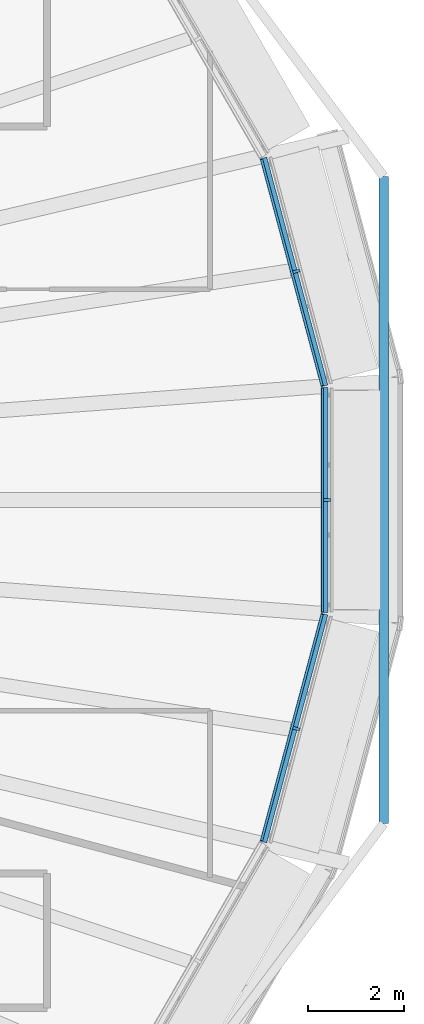
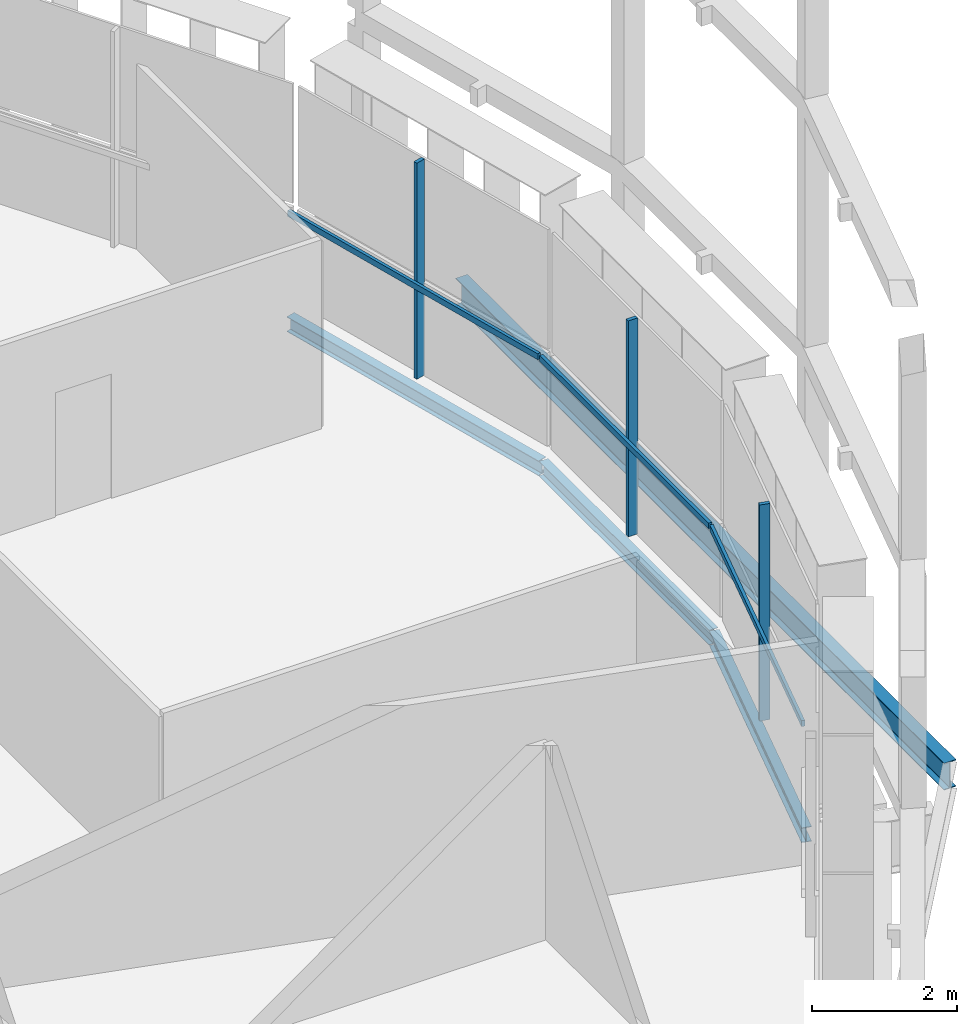
# One storey, part 12 of 26: 6 members, 4 beams, 3 elements without a shape of their own.
"""IFC4 building model written with IfcOpenShell, lengths in metres."""

from ifc_helpers import new_model, si_unit, direction, frame, origin, origin_2d, place, context, subcontext, project, spatial, rectangle, i_section, extrude, material, layer, layer_set, material_profile, profile_set, type_object, element, aggregate, save


model = new_model("IFC4")

# Units and contexts
model_context = context("Model", 3, precision=1e-05, world=origin(), true_north=direction((0.0, 1.0)))
body_context = subcontext(model_context, "Body", "Model", "MODEL_VIEW")
ifc_project = project(units=[si_unit("LENGTHUNIT", "METRE"), si_unit("AREAUNIT", "SQUARE_METRE"), si_unit("VOLUMEUNIT", "CUBIC_METRE"), si_unit("PLANEANGLEUNIT", "RADIAN"), si_unit("MASSUNIT", "GRAM", prefix="KILO")], contexts=[model_context])

# Site, building, storey
site_placement = place(None, origin())
site = spatial("IfcSite", under=ifc_project, at=site_placement, CompositionType="ELEMENT")
building_placement = place(site_placement, origin())
building = spatial("IfcBuilding", under=site, at=building_placement, Name="Sahrelin Media Tower", CompositionType="ELEMENT")
storey_placement = place(building_placement, frame((0.0, 0.0, 102.0)))
storey = spatial("IfcBuildingStorey", under=building, at=storey_placement, Name="L19", CompositionType="ELEMENT", Elevation=102.0)

# Beams
ifc_material_1 = material(Name="Steel S355", Category="steel")
ifc_material_profile_1 = material_profile(ifc_material_1, i_section(OverallWidth=0.14599609375, OverallDepth=0.25146484375, WebThickness=0.006103515625, FlangeThickness=0.008544921875, FilletRadius=0.007568359375, at=origin_2d()), Name="UB 254x146x31")
ifc_profile_set_1 = profile_set([ifc_material_profile_1], Name="Steel S355")
beam_type_1 = type_object("IfcBeamType", Name="Edge beam EB1", PredefinedType="BEAM", material=ifc_profile_set_1)
beam_1_placement = place(storey_placement, frame((31.794189453125, 2.352783203125, -0.275634765625), z_axis=(0.0, -1.0, 0.0), x_axis=(1.0, 0.0, 0.0)))
element("IfcBeam", 1, at=beam_1_placement, inside=storey, type_object=beam_type_1, Name="Edge beam L19-01", PredefinedType="BEAM", context=body_context, shape_type="SweptSolid", body=[
    extrude(i_section(OverallWidth=0.14599609375, OverallDepth=0.25146484375, WebThickness=0.006103515625, FlangeThickness=0.008544921875, FilletRadius=0.007568359375, at=origin_2d()), origin(), (0.0, 0.0, 1.0), 4.70556640625),
])
for number, where, z_axis, x_axis, name in (
    (2, (31.79052734375, -2.381591796875, -0.275634765625), (-0.258785645927, -0.965934774952, 0.0), (0.965934774952, -0.258785645927, 0.0), "Edge beam L19-02"),
    (3, (30.51611328125, 7.138427734375, -0.275634765625), (0.258785645927, -0.965934774952, 0.0), (0.965934774952, 0.258785645927, 0.0), "Edge beam L19-24"),
):
    element("IfcBeam", number, at=place(storey_placement, frame(where, z_axis=z_axis, x_axis=x_axis)), inside=storey, type_object=beam_type_1, Name=name, PredefinedType="BEAM", context=body_context, shape_type="SweptSolid", body=[
        extrude(i_section(OverallWidth=0.14599609375, OverallDepth=0.25146484375, WebThickness=0.006103515625, FlangeThickness=0.008544921875, FilletRadius=0.007568359375, at=origin_2d()), origin(), (0.0, 0.0, 1.0), 4.924560546875),
    ])

# Curtain wall, member
ifc_material_2 = material(Name="Champagne anodised aluminium 6063-T6", Category="aluminium")
ifc_layer = layer(ifc_material_2, 0.14990234375)
ifc_layer_set = layer_set([ifc_layer], Name="Tower ribbon curtain wall")
curtain_wall_type = type_object("IfcCurtainWallType", Name="Tower ribbon curtain wall", PredefinedType="NOTDEFINED", material=ifc_layer_set)
curtain_wall_1_placement = place(storey_placement, frame((31.9443359375, 0.0, 0.0), z_axis=(0.0, 0.0, 1.0), x_axis=(1.0, 0.0, 0.0)))
curtain_wall_1 = element("IfcCurtainWall", 4, at=curtain_wall_1_placement, inside=storey, type_object=curtain_wall_type, Name="L19:CW:L19-00", PredefinedType="NOTDEFINED")
ifc_material_profile_2 = material_profile(ifc_material_2, rectangle(XDim=0.06005859375, YDim=0.14990234375, at=origin_2d()), Name="Mullion 60x150")
ifc_profile_set_2 = profile_set([ifc_material_profile_2], Name="Champagne anodised aluminium 6063-T6")
member_type_1 = type_object("IfcMemberType", Name="Mullion 60x150 CW1", PredefinedType="MULLION", material=ifc_profile_set_2)
member_1_placement = place(storey_placement, frame((31.849365234375, 0.0, 0.0), z_axis=(0.0, 0.0, 1.0), x_axis=(0.0, 1.0, 0.0)))
member_1 = element("IfcMember", 5, at=member_1_placement, type_object=member_type_1, Name="L19:CWM:L19-00", PredefinedType="MULLION", context=body_context, shape_type="SweptSolid", body=[
    extrude(rectangle(XDim=0.06005859375, YDim=0.14990234375, at=origin_2d()), origin(), (0.0, 0.0, 1.0), 3.648681640625),
])

curtain_wall_2_placement = place(storey_placement, frame((31.298095703125, 4.798828125, 0.0), z_axis=(0.0, 0.0, 1.0), x_axis=(1.0, 0.0, 0.0)))
curtain_wall_2 = element("IfcCurtainWall", 6, at=curtain_wall_2_placement, inside=storey, type_object=curtain_wall_type, Name="L19:CW:L19-01", PredefinedType="NOTDEFINED")
member_2_placement = place(storey_placement, frame((31.206298828125, 4.774169921875, 0.0), z_axis=(0.0, 0.0, 1.0), x_axis=(-0.2588106158, 0.965928084875, 0.0)))
member_2 = element("IfcMember", 7, at=member_2_placement, type_object=member_type_1, Name="L19:CWM:L19-01", PredefinedType="MULLION", context=body_context, shape_type="SweptSolid", body=[
    extrude(rectangle(XDim=0.06005859375, YDim=0.14990234375, at=origin_2d()), origin(), (0.0, 0.0, 1.0), 3.648681640625),
])

curtain_wall_3_placement = place(storey_placement, frame((31.298095703125, -4.798828125, 0.0), z_axis=(0.0, 0.0, 1.0), x_axis=(1.0, 0.0, 0.0)))
curtain_wall_3 = element("IfcCurtainWall", 8, at=curtain_wall_3_placement, inside=storey, type_object=curtain_wall_type, Name="L19:CW:L19-23", PredefinedType="NOTDEFINED")
member_3_placement = place(storey_placement, frame((31.206298828125, -4.774169921875, 0.0), z_axis=(0.0, 0.0, 1.0), x_axis=(0.2588106158, 0.965928084875, 0.0)))
member_3 = element("IfcMember", 9, at=member_3_placement, type_object=member_type_1, Name="L19:CWM:L19-23", PredefinedType="MULLION", context=body_context, shape_type="SweptSolid", body=[
    extrude(rectangle(XDim=0.06005859375, YDim=0.14990234375, at=origin_2d()), origin(), (0.0, 0.0, 1.0), 3.648681640625),
])

# Beam
ifc_material_profile_3 = material_profile(ifc_material_1, i_section(OverallWidth=0.1904296875, OverallDepth=0.45703125, WebThickness=0.009033203125, FlangeThickness=0.014404296875, FilletRadius=0.01025390625, at=origin_2d()), Name="UB 457x191x74")
ifc_profile_set_3 = profile_set([ifc_material_profile_3], Name="Steel S355")
beam_type_2 = type_object("IfcBeamType", Name="Tie chord TC5", PredefinedType="BEAM", material=ifc_profile_set_3)
beam_2_placement = place(storey_placement, frame((33.02880859375, 6.75634765625, -0.37841796875), z_axis=(0.0, -1.0, 0.0), x_axis=(1.0, 0.0, 0.0)))
element("IfcBeam", 10, at=beam_2_placement, inside=storey, type_object=beam_type_2, Name="Tie chord L19-01", PredefinedType="BEAM", context=body_context, shape_type="SweptSolid", body=[
    extrude(i_section(OverallWidth=0.1904296875, OverallDepth=0.45703125, WebThickness=0.009033203125, FlangeThickness=0.014404296875, FilletRadius=0.01025390625, at=origin_2d()), origin(), (0.0, 0.0, 1.0), 13.5126953125),
])

# Member
ifc_material_profile_4 = material_profile(ifc_material_2, rectangle(XDim=0.050048828125, YDim=0.10009765625, at=origin_2d()), Name="Transom 50x100")
ifc_profile_set_4 = profile_set([ifc_material_profile_4], Name="Champagne anodised aluminium 6063-T6")
member_type_2 = type_object("IfcMemberType", Name="Transom 50x100 CW1", PredefinedType="USERDEFINED", material=ifc_profile_set_4)
member_4_placement = place(storey_placement, frame((31.749267578125, -2.337158203125, 1.60009765625), z_axis=(0.0, 1.0, 0.0), x_axis=(-1.0, 0.0, 0.0)))
member_4 = element("IfcMember", 11, at=member_4_placement, type_object=member_type_2, Name="L19:CWT:L19-00", ObjectType="TRANSOM", PredefinedType="USERDEFINED", context=body_context, shape_type="SweptSolid", body=[
    extrude(rectangle(XDim=0.050048828125, YDim=0.10009765625, at=origin_2d()), origin(), (0.0, 0.0, 1.0), 4.67431640625),
])

aggregate(curtain_wall_1, [member_1, member_4])

member_5_placement = place(storey_placement, frame((31.742919921875, 2.385009765625, 1.60009765625), z_axis=(-0.258795938733, 0.965932017326, 0.0), x_axis=(-0.965932017326, -0.258795938733, 0.0)))
member_5 = element("IfcMember", 12, at=member_5_placement, type_object=member_type_2, Name="L19:CWT:L19-01", ObjectType="TRANSOM", PredefinedType="USERDEFINED", context=body_context, shape_type="SweptSolid", body=[
    extrude(rectangle(XDim=0.050048828125, YDim=0.10009765625, at=origin_2d()), origin(), (0.0, 0.0, 1.0), 4.893310546875),
])

aggregate(curtain_wall_2, [member_2, member_5])

member_6_placement = place(storey_placement, frame((30.4765625, -7.111572265625, 1.60009765625), z_axis=(0.258795938733, 0.965932017326, 0.0), x_axis=(-0.965932017326, 0.258795938733, 0.0)))
member_6 = element("IfcMember", 13, at=member_6_placement, type_object=member_type_2, Name="L19:CWT:L19-23", ObjectType="TRANSOM", PredefinedType="USERDEFINED", context=body_context, shape_type="SweptSolid", body=[
    extrude(rectangle(XDim=0.050048828125, YDim=0.10009765625, at=origin_2d()), origin(), (0.0, 0.0, 1.0), 4.893310546875),
])

aggregate(curtain_wall_3, [member_3, member_6])

save(model, "model.ifc")
